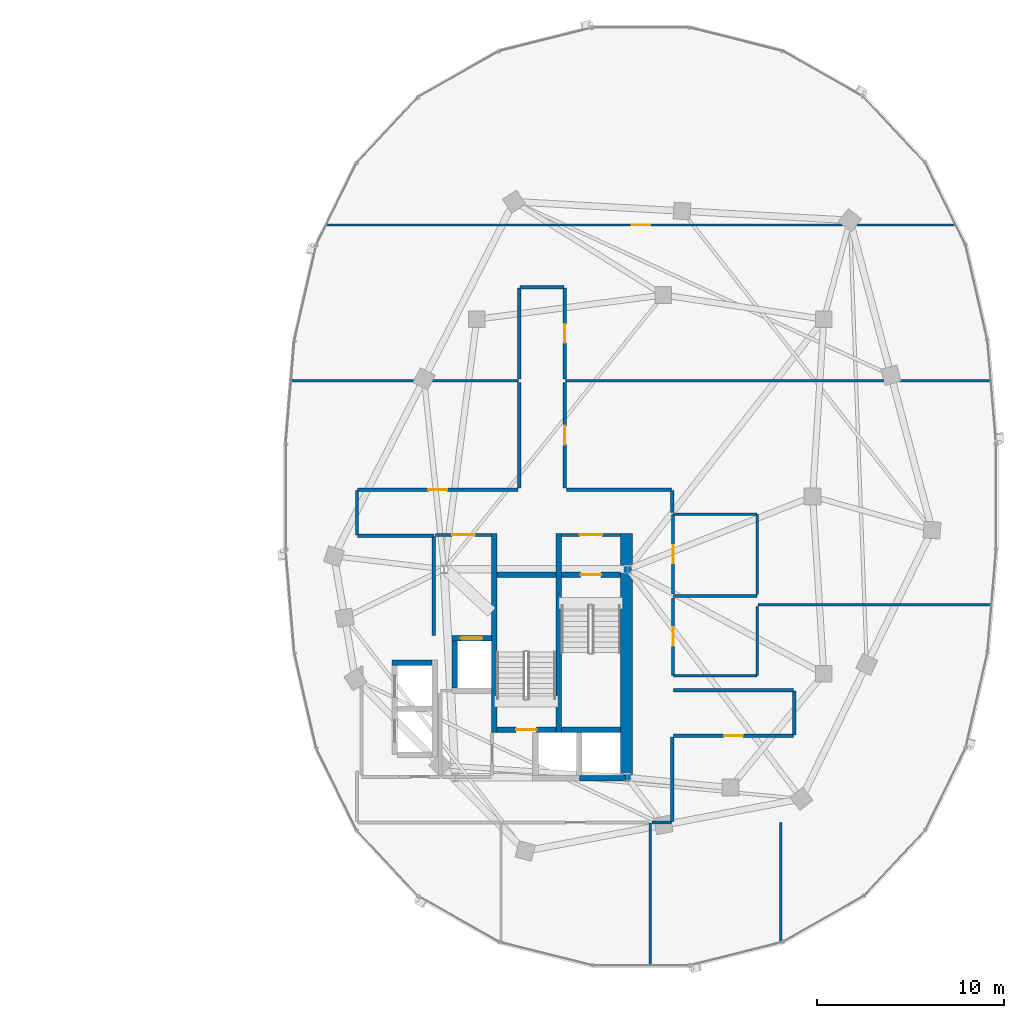
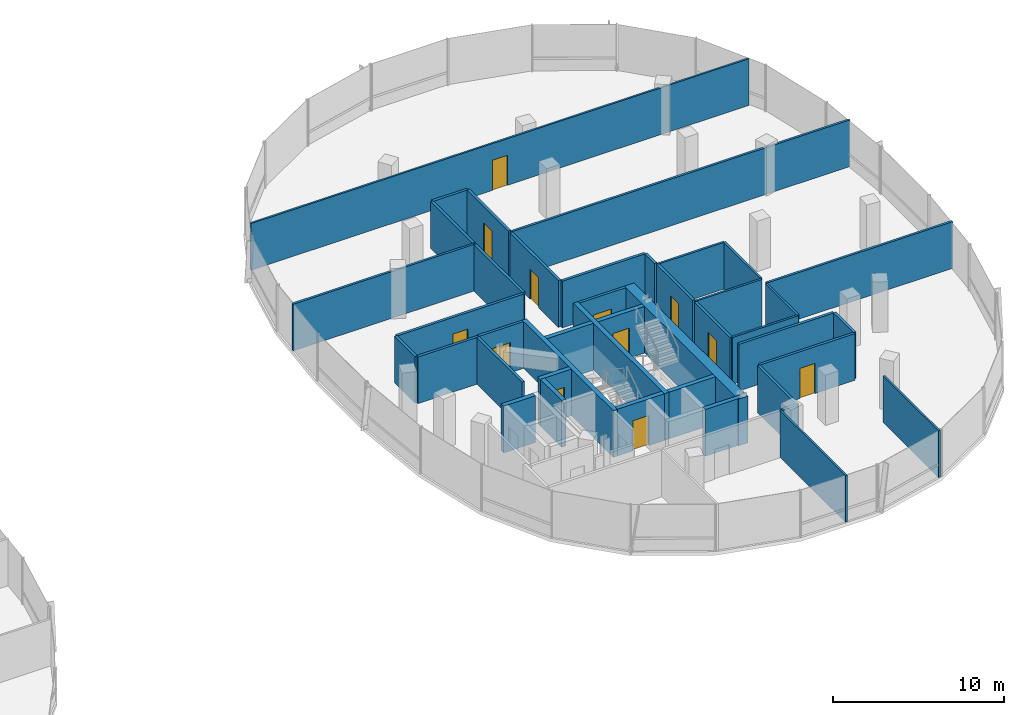
# One storey, part 17 of 25: 42 walls, 12 doors, 12 openings.
"""IFC4 building model written with IfcOpenShell, lengths in metres."""

from ifc_helpers import new_model, si_unit, direction, frame, frame_2d, origin, place, context, subcontext, project, spatial, rectangle, extrude, material, layer, layer_set, type_object, element, fill, save


model = new_model("IFC4")

# Units and contexts
model_context = context("Model", 3, precision=1e-05, world=origin(), true_north=direction((0.0, 1.0)))
body_context = subcontext(model_context, "Body", "Model", "MODEL_VIEW")
ifc_project = project(units=[si_unit("LENGTHUNIT", "METRE"), si_unit("AREAUNIT", "SQUARE_METRE"), si_unit("VOLUMEUNIT", "CUBIC_METRE"), si_unit("PLANEANGLEUNIT", "RADIAN"), si_unit("MASSUNIT", "GRAM", prefix="KILO"), si_unit("THERMODYNAMICTEMPERATUREUNIT", "KELVIN"), si_unit("POWERUNIT", "WATT")], contexts=[model_context])

# Site, building, storey
site_placement = place(None, origin())
site = spatial("IfcSite", under=ifc_project, at=site_placement, CompositionType="ELEMENT")
building_placement = place(site_placement, origin())
building = spatial("IfcBuilding", under=site, at=building_placement, Name="Cundina Bronze Exchange", CompositionType="ELEMENT")
storey_placement = place(building_placement, frame((0.0, 0.0, 220.60009765625)))
storey = spatial("IfcBuildingStorey", under=building, at=storey_placement, Name="L58", CompositionType="ELEMENT", Elevation=220.60009765625)

# Wall
ifc_material_1 = material(Name="Gypsum Fireboard Partition EI120")
ifc_layer_1 = layer(ifc_material_1, 0.179931640625, Name="Gypsum Fireboard Partition EI120")
ifc_layer_set_1 = layer_set([ifc_layer_1], Name="Gypsum Fireboard Partition EI120")
wall_type_1 = type_object("IfcWallType", Name="WL-COR-180", PredefinedType="PARTITIONING", material=ifc_layer_set_1)
wall_1_placement = place(storey_placement, frame((20.889892578125, -7.449951171875, 0.0), z_axis=(0.0, 0.0, 1.0), x_axis=(0.0, 1.0, 0.0)))
element("IfcWall", 1, at=wall_1_placement, inside=storey, type_object=wall_type_1, Name="L58 E Firefighting Lobby Side Wall", PredefinedType="PARTITIONING", context=body_context, shape_type="SweptSolid", body=[
    extrude(rectangle(XDim=5.300048828125, YDim=0.179931640625, at=frame_2d((2.64990234375, 0.0))), origin(), (0.0, 0.0, 1.0), 3.33984375),
])

# Wall, opening, door
wall_2_placement = place(storey_placement, frame((20.97998046875, -2.06005859375, 0.0), z_axis=(0.0, 0.0, 1.0), x_axis=(1.0, 0.0, 0.0)))
wall_2 = element("IfcWall", 2, at=wall_2_placement, inside=storey, type_object=wall_type_1, Name="L58 E Firefighting Lobby Exit Wall", PredefinedType="PARTITIONING", context=body_context, shape_type="SweptSolid", body=[
    extrude(rectangle(XDim=3.0, YDim=0.179931640625, at=frame_2d((1.5, 0.0))), origin(), (0.0, 0.0, 1.0), 3.33984375),
])
opening_1_placement = place(wall_2_placement, frame((0.89990234375, 0.0, 0.0)))
opening_1 = element("IfcOpeningElement", 3, at=opening_1_placement, cuts=wall_2, Name="Opening DF-01", PredefinedType="OPENING", context=body_context, shape_type="SweptSolid", body=[
    extrude(rectangle(XDim=1.199951171875, YDim=2.14990234375, at=frame_2d((0.60009765625, 1.074951171875))), frame((0.0, 0.099853515625, 0.0), z_axis=(0.0, -1.0, 0.0), x_axis=(1.0, 0.0, 0.0)), (0.0, 0.0, 1.0), 0.199951171875),
])
ifc_material_2 = material(Name="Steel ASTM A36 Painted", Category="steel")
door_type_1 = type_object("IfcDoorType", Name="DR-FFL-1200", OperationType="NOTDEFINED", PredefinedType="DOOR", material=ifc_material_2)
door_1_placement = place(opening_1_placement, origin())
door_1 = element("IfcDoor", 4, at=door_1_placement, inside=storey, type_object=door_type_1, Name="L58 E Firefighting Lobby Door", OperationType="SINGLE_SWING_LEFT", OverallHeight=2.14990234375, OverallWidth=1.199951171875, PredefinedType="DOOR", context=body_context, shape_type="SweptSolid", body=[
    extrude(rectangle(XDim=1.199951171875, YDim=2.14990234375, at=frame_2d((0.60009765625, 1.074951171875))), frame((0.0, 0.02490234375, 0.0), z_axis=(0.0, -1.0, 0.0), x_axis=(1.0, 0.0, 0.0)), (0.0, 0.0, 1.0), 0.050048828125),
])
fill(opening_1, door_1)

wall_3_placement = place(storey_placement, frame((27.739990234375, -2.06005859375, 0.0), z_axis=(0.0, 0.0, 1.0), x_axis=(1.0, 0.0, 0.0)))
wall_3 = element("IfcWall", 5, at=wall_3_placement, inside=storey, type_object=wall_type_1, Name="L58 E Stair Vestibule Exit Wall", PredefinedType="PARTITIONING", context=body_context, shape_type="SweptSolid", body=[
    extrude(rectangle(XDim=3.159912109375, YDim=0.179931640625, at=frame_2d((1.580078125, 0.0))), origin(), (0.0, 0.0, 1.0), 3.33984375),
])
opening_2_placement = place(wall_3_placement, frame((0.97998046875, 0.0, 0.0)))
opening_2 = element("IfcOpeningElement", 6, at=opening_2_placement, cuts=wall_3, Name="Opening DF-01", PredefinedType="OPENING", context=body_context, shape_type="SweptSolid", body=[
    extrude(rectangle(XDim=1.199951171875, YDim=2.14990234375, at=frame_2d((0.60009765625, 1.074951171875))), frame((0.0, 0.099853515625, 0.0), z_axis=(0.0, -1.0, 0.0), x_axis=(1.0, 0.0, 0.0)), (0.0, 0.0, 1.0), 0.199951171875),
])
door_2_placement = place(opening_2_placement, origin())
door_2 = element("IfcDoor", 7, at=door_2_placement, inside=storey, type_object=door_type_1, Name="L58 E Stair Vestibule Door", OperationType="SINGLE_SWING_RIGHT", OverallHeight=2.14990234375, OverallWidth=1.199951171875, PredefinedType="DOOR", context=body_context, shape_type="SweptSolid", body=[
    extrude(rectangle(XDim=1.199951171875, YDim=2.14990234375, at=frame_2d((0.60009765625, 1.074951171875))), frame((0.0, 0.02490234375, 0.0), z_axis=(0.0, -1.0, 0.0), x_axis=(1.0, 0.0, 0.0)), (0.0, 0.0, 1.0), 0.050048828125),
])
fill(opening_2, door_2)

wall_4_placement = place(storey_placement, frame((33.719970703125, -5.22998046875, 0.0), z_axis=(0.0, 0.0, 1.0), x_axis=(0.0, 1.0, 0.0)))
wall_4 = element("IfcWall", 8, at=wall_4_placement, inside=storey, type_object=wall_type_1, Name="L58 Interior Partition 053", PredefinedType="PARTITIONING", context=body_context, shape_type="SweptSolid", body=[
    extrude(rectangle(XDim=4.260009765625, YDim=0.179931640625, at=frame_2d((2.1298828125, 0.0))), origin(), (0.0, 0.0, 1.0), 3.33984375),
])
opening_3_placement = place(wall_4_placement, frame((1.655029296875, 0.0, 0.0)))
opening_3 = element("IfcOpeningElement", 9, at=opening_3_placement, cuts=wall_4, Name="Opening DW-01", PredefinedType="OPENING", context=body_context, shape_type="SweptSolid", body=[
    extrude(rectangle(XDim=0.949951171875, YDim=2.10009765625, at=frame_2d((0.47509765625, 1.050048828125))), frame((0.0, 0.099853515625, 0.0), z_axis=(0.0, -1.0, 0.0), x_axis=(1.0, 0.0, 0.0)), (0.0, 0.0, 1.0), 0.199951171875),
])
ifc_material_3 = material(Name="Solid Andean Oak Timber Grade A", Category="wood")
door_type_2 = type_object("IfcDoorType", Name="DR-WC-950", OperationType="NOTDEFINED", PredefinedType="DOOR", material=ifc_material_3)
door_3_placement = place(opening_3_placement, origin())
door_3 = element("IfcDoor", 10, at=door_3_placement, inside=storey, type_object=door_type_2, Name="L58 Interior Door 053", OperationType="SINGLE_SWING_RIGHT", OverallHeight=2.10009765625, OverallWidth=0.949951171875, PredefinedType="DOOR", context=body_context, shape_type="SweptSolid", body=[
    extrude(rectangle(XDim=0.949951171875, YDim=2.10009765625, at=frame_2d((0.47509765625, 1.050048828125))), frame((0.0, 0.02490234375, 0.0), z_axis=(0.0, -1.0, 0.0), x_axis=(1.0, 0.0, 0.0)), (0.0, 0.0, 1.0), 0.050048828125),
])
fill(opening_3, door_3)

wall_5_placement = place(storey_placement, frame((33.719970703125, -9.590087890625, 0.0), z_axis=(0.0, 0.0, 1.0), x_axis=(0.0, 1.0, 0.0)))
wall_5 = element("IfcWall", 11, at=wall_5_placement, inside=storey, type_object=wall_type_1, Name="L58 Interior Partition 054", PredefinedType="PARTITIONING", context=body_context, shape_type="SweptSolid", body=[
    extrude(rectangle(XDim=4.16015625, YDim=0.179931640625, at=frame_2d((2.080078125, 0.0))), origin(), (0.0, 0.0, 1.0), 3.33984375),
])
opening_4_placement = place(wall_5_placement, frame((1.580078125, 0.0, 0.0)))
opening_4 = element("IfcOpeningElement", 12, at=opening_4_placement, cuts=wall_5, Name="Opening DO-01", PredefinedType="OPENING", context=body_context, shape_type="SweptSolid", body=[
    extrude(rectangle(XDim=1.0, YDim=2.14990234375, at=frame_2d((0.5, 1.074951171875))), frame((0.0, 0.099853515625, 0.0), z_axis=(0.0, -1.0, 0.0), x_axis=(1.0, 0.0, 0.0)), (0.0, 0.0, 1.0), 0.199951171875),
])
door_type_3 = type_object("IfcDoorType", Name="DR-OFF-1000", OperationType="NOTDEFINED", PredefinedType="DOOR", material=ifc_material_3)
door_4_placement = place(opening_4_placement, origin())
door_4 = element("IfcDoor", 13, at=door_4_placement, inside=storey, type_object=door_type_3, Name="L58 Interior Door 054", OperationType="SINGLE_SWING_RIGHT", OverallHeight=2.14990234375, OverallWidth=1.0, PredefinedType="DOOR", context=body_context, shape_type="SweptSolid", body=[
    extrude(rectangle(XDim=1.0, YDim=2.14990234375, at=frame_2d((0.5, 1.074951171875))), frame((0.0, 0.02490234375, 0.0), z_axis=(0.0, -1.0, 0.0), x_axis=(1.0, 0.0, 0.0)), (0.0, 0.0, 1.0), 0.050048828125),
])
fill(opening_4, door_4)

wall_6_placement = place(storey_placement, frame((33.75, -12.820068359375, 0.0), z_axis=(0.0, 0.0, 1.0), x_axis=(1.0, 0.0, 0.0)))
wall_6 = element("IfcWall", 14, at=wall_6_placement, inside=storey, type_object=wall_type_1, Name="L58 Interior Partition 062", PredefinedType="PARTITIONING", context=body_context, shape_type="SweptSolid", body=[
    extrude(rectangle(XDim=6.428466796875, YDim=0.179931640625, at=frame_2d((3.21435546875, 0.0))), origin(), (0.0, 0.0, 1.0), 3.33984375),
])
opening_5_placement = place(wall_6_placement, frame((2.714111328125, 0.0, 0.0)))
opening_5 = element("IfcOpeningElement", 15, at=opening_5_placement, cuts=wall_6, Name="Opening DO-01", PredefinedType="OPENING", context=body_context, shape_type="SweptSolid", body=[
    extrude(rectangle(XDim=1.0, YDim=2.14990234375, at=frame_2d((0.5, 1.074951171875))), frame((0.0, 0.099853515625, 0.0), z_axis=(0.0, -1.0, 0.0), x_axis=(1.0, 0.0, 0.0)), (0.0, 0.0, 1.0), 0.199951171875),
])
door_5_placement = place(opening_5_placement, origin())
door_5 = element("IfcDoor", 16, at=door_5_placement, inside=storey, type_object=door_type_3, Name="L58 Interior Door 062", OperationType="SINGLE_SWING_RIGHT", OverallHeight=2.14990234375, OverallWidth=1.0, PredefinedType="DOOR", context=body_context, shape_type="SweptSolid", body=[
    extrude(rectangle(XDim=1.0, YDim=2.14990234375, at=frame_2d((0.5, 1.074951171875))), frame((0.0, 0.02490234375, 0.0), z_axis=(0.0, -1.0, 0.0), x_axis=(1.0, 0.0, 0.0)), (0.0, 0.0, 1.0), 0.050048828125),
])
fill(opening_5, door_5)

# Walls
wall_7_placement = place(storey_placement, frame((40.178466796875, -10.3798828125, 0.0), z_axis=(0.0, 0.0, 1.0), x_axis=(-1.0, 0.0, 0.0)))
element("IfcWall", 17, at=wall_7_placement, inside=storey, type_object=wall_type_1, Name="L58 Interior Partition 063", PredefinedType="PARTITIONING", context=body_context, shape_type="SweptSolid", body=[
    extrude(rectangle(XDim=6.428466796875, YDim=0.179931640625, at=frame_2d((3.21435546875, 0.0))), origin(), (0.0, 0.0, 1.0), 3.33984375),
])
wall_8_placement = place(storey_placement, frame((33.669921875, -17.428466796875, 0.0), z_axis=(0.0, 0.0, 1.0), x_axis=(0.0, 1.0, 0.0)))
element("IfcWall", 18, at=wall_8_placement, inside=storey, type_object=wall_type_1, Name="L58 Interior Partition 064", PredefinedType="PARTITIONING", context=body_context, shape_type="SweptSolid", body=[
    extrude(rectangle(XDim=4.528564453125, YDim=0.179931640625, at=frame_2d((2.26416015625, 0.0))), origin(), (0.0, 0.0, 1.0), 3.33984375),
])
wall_9_placement = place(storey_placement, frame((40.219970703125, -12.778564453125, 0.0), z_axis=(0.0, 0.0, 1.0), x_axis=(0.0, 1.0, 0.0)))
element("IfcWall", 19, at=wall_9_placement, inside=storey, type_object=wall_type_1, Name="L58 Interior Partition 065", PredefinedType="PARTITIONING", context=body_context, shape_type="SweptSolid", body=[
    extrude(rectangle(XDim=2.357177734375, YDim=0.179931640625, at=frame_2d((1.1787109375, 0.0))), origin(), (0.0, 0.0, 1.0), 3.33984375),
])
wall_10_placement = place(storey_placement, frame((32.590087890625, -17.469970703125, 0.0), z_axis=(0.0, 0.0, 1.0), x_axis=(1.0, 0.0, 0.0)))
element("IfcWall", 20, at=wall_10_placement, inside=storey, type_object=wall_type_1, Name="L58 Interior Partition 066", PredefinedType="PARTITIONING", context=body_context, shape_type="SweptSolid", body=[
    extrude(rectangle(XDim=1.038330078125, YDim=0.179931640625, at=frame_2d((0.51904296875, 0.0))), origin(), (0.0, 0.0, 1.0), 3.33984375),
])

# Wall, opening, door
wall_11_placement = place(storey_placement, frame((25.39990234375, 0.3701171875, 0.0), z_axis=(0.0, 0.0, 1.0), x_axis=(-1.0, 0.0, 0.0)))
wall_11 = element("IfcWall", 21, at=wall_11_placement, inside=storey, type_object=wall_type_1, Name="L58 Interior Partition 067", PredefinedType="PARTITIONING", context=body_context, shape_type="SweptSolid", body=[
    extrude(rectangle(XDim=8.578369140625, YDim=0.179931640625, at=frame_2d((4.2890625, 0.0))), origin(), (0.0, 0.0, 1.0), 3.33984375),
])
opening_6_placement = place(wall_11_placement, frame((3.789306640625, 0.0, 0.0)))
opening_6 = element("IfcOpeningElement", 22, at=opening_6_placement, cuts=wall_11, Name="Opening DO-01", PredefinedType="OPENING", context=body_context, shape_type="SweptSolid", body=[
    extrude(rectangle(XDim=1.0, YDim=2.14990234375, at=frame_2d((0.5, 1.074951171875))), frame((0.0, 0.099853515625, 0.0), z_axis=(0.0, -1.0, 0.0), x_axis=(1.0, 0.0, 0.0)), (0.0, 0.0, 1.0), 0.199951171875),
])
door_6_placement = place(opening_6_placement, origin())
door_6 = element("IfcDoor", 23, at=door_6_placement, inside=storey, type_object=door_type_3, Name="L58 Interior Door 067", OperationType="SINGLE_SWING_RIGHT", OverallHeight=2.14990234375, OverallWidth=1.0, PredefinedType="DOOR", context=body_context, shape_type="SweptSolid", body=[
    extrude(rectangle(XDim=1.0, YDim=2.14990234375, at=frame_2d((0.5, 1.074951171875))), frame((0.0, 0.02490234375, 0.0), z_axis=(0.0, -1.0, 0.0), x_axis=(1.0, 0.0, 0.0)), (0.0, 0.0, 1.0), 0.050048828125),
])
fill(opening_6, door_6)

# Walls
wall_12_placement = place(storey_placement, frame((25.47998046875, 6.110107421875, 0.0), z_axis=(0.0, 0.0, 1.0), x_axis=(0.0, -1.0, 0.0)))
element("IfcWall", 24, at=wall_12_placement, inside=storey, type_object=wall_type_1, Name="L58 Interior Partition 069", PredefinedType="PARTITIONING", context=body_context, shape_type="SweptSolid", body=[
    extrude(rectangle(XDim=5.66015625, YDim=0.179931640625, at=frame_2d((2.830078125, 0.0))), origin(), (0.0, 0.0, 1.0), 3.33984375),
])
wall_13_placement = place(storey_placement, frame((16.821533203125, -2.10009765625, 0.0), z_axis=(0.0, 0.0, 1.0), x_axis=(1.0, 0.0, 0.0)))
element("IfcWall", 25, at=wall_13_placement, inside=storey, type_object=wall_type_1, Name="L58 Interior Partition 070", PredefinedType="PARTITIONING", context=body_context, shape_type="SweptSolid", body=[
    extrude(rectangle(XDim=4.098388671875, YDim=0.179931640625, at=frame_2d((2.04931640625, 0.0))), origin(), (0.0, 0.0, 1.0), 3.33984375),
])
wall_14_placement = place(storey_placement, frame((16.780029296875, 0.32861328125, 0.0), z_axis=(0.0, 0.0, 1.0), x_axis=(0.0, -1.0, 0.0)))
element("IfcWall", 26, at=wall_14_placement, inside=storey, type_object=wall_type_1, Name="L58 Interior Partition 072", PredefinedType="PARTITIONING", context=body_context, shape_type="SweptSolid", body=[
    extrude(rectangle(XDim=2.38720703125, YDim=0.179931640625, at=frame_2d((1.193603515625, 0.0))), origin(), (0.0, 0.0, 1.0), 3.33984375),
])

# Wall, opening, door
wall_15_placement = place(storey_placement, frame((27.919921875, 0.449951171875, 0.0), z_axis=(0.0, 0.0, 1.0), x_axis=(0.0, 1.0, 0.0)))
wall_15 = element("IfcWall", 27, at=wall_15_placement, inside=storey, type_object=wall_type_1, Name="L58 Interior Partition 073", PredefinedType="PARTITIONING", context=body_context, shape_type="SweptSolid", body=[
    extrude(rectangle(XDim=5.66015625, YDim=0.179931640625, at=frame_2d((2.830078125, 0.0))), origin(), (0.0, 0.0, 1.0), 3.33984375),
])
opening_7_placement = place(wall_15_placement, frame((2.330078125, 0.0, 0.0)))
opening_7 = element("IfcOpeningElement", 28, at=opening_7_placement, cuts=wall_15, Name="Opening DO-01", PredefinedType="OPENING", context=body_context, shape_type="SweptSolid", body=[
    extrude(rectangle(XDim=1.0, YDim=2.14990234375, at=frame_2d((0.5, 1.074951171875))), frame((0.0, 0.099853515625, 0.0), z_axis=(0.0, -1.0, 0.0), x_axis=(1.0, 0.0, 0.0)), (0.0, 0.0, 1.0), 0.199951171875),
])
door_7_placement = place(opening_7_placement, origin())
door_7 = element("IfcDoor", 29, at=door_7_placement, inside=storey, type_object=door_type_3, Name="L58 Interior Door 073", OperationType="SINGLE_SWING_RIGHT", OverallHeight=2.14990234375, OverallWidth=1.0, PredefinedType="DOOR", context=body_context, shape_type="SweptSolid", body=[
    extrude(rectangle(XDim=1.0, YDim=2.14990234375, at=frame_2d((0.5, 1.074951171875))), frame((0.0, 0.02490234375, 0.0), z_axis=(0.0, -1.0, 0.0), x_axis=(1.0, 0.0, 0.0)), (0.0, 0.0, 1.0), 0.050048828125),
])
fill(opening_7, door_7)

# Walls
wall_16_placement = place(storey_placement, frame((33.62841796875, 0.3701171875, 0.0), z_axis=(0.0, 0.0, 1.0), x_axis=(-1.0, 0.0, 0.0)))
element("IfcWall", 30, at=wall_16_placement, inside=storey, type_object=wall_type_1, Name="L58 Interior Partition 074", PredefinedType="PARTITIONING", context=body_context, shape_type="SweptSolid", body=[
    extrude(rectangle(XDim=5.62841796875, YDim=0.179931640625, at=frame_2d((2.814208984375, 0.0))), origin(), (0.0, 0.0, 1.0), 3.33984375),
])
wall_17_placement = place(storey_placement, frame((33.669921875, -0.858642578125, 0.0), z_axis=(0.0, 0.0, 1.0), x_axis=(0.0, 1.0, 0.0)))
element("IfcWall", 31, at=wall_17_placement, inside=storey, type_object=wall_type_1, Name="L58 Interior Partition 075", PredefinedType="PARTITIONING", context=body_context, shape_type="SweptSolid", body=[
    extrude(rectangle(XDim=1.187255859375, YDim=0.179931640625, at=frame_2d((0.59375, 0.0))), origin(), (0.0, 0.0, 1.0), 3.33984375),
])

# Wall, opening, door
wall_18_placement = place(storey_placement, frame((27.919921875, 6.2900390625, 0.0), z_axis=(0.0, 0.0, 1.0), x_axis=(0.0, 1.0, 0.0)))
wall_18 = element("IfcWall", 32, at=wall_18_placement, inside=storey, type_object=wall_type_1, Name="L58 Interior Partition 076", PredefinedType="PARTITIONING", context=body_context, shape_type="SweptSolid", body=[
    extrude(rectangle(XDim=4.888427734375, YDim=0.179931640625, at=frame_2d((2.4443359375, 0.0))), origin(), (0.0, 0.0, 1.0), 3.33984375),
])
opening_8_placement = place(wall_18_placement, frame((1.944091796875, 0.0, 0.0)))
opening_8 = element("IfcOpeningElement", 33, at=opening_8_placement, cuts=wall_18, Name="Opening DO-01", PredefinedType="OPENING", context=body_context, shape_type="SweptSolid", body=[
    extrude(rectangle(XDim=1.0, YDim=2.14990234375, at=frame_2d((0.5, 1.074951171875))), frame((0.0, 0.099853515625, 0.0), z_axis=(0.0, -1.0, 0.0), x_axis=(1.0, 0.0, 0.0)), (0.0, 0.0, 1.0), 0.199951171875),
])
door_8_placement = place(opening_8_placement, origin())
door_8 = element("IfcDoor", 34, at=door_8_placement, inside=storey, type_object=door_type_3, Name="L58 Interior Door 076", OperationType="SINGLE_SWING_RIGHT", OverallHeight=2.14990234375, OverallWidth=1.0, PredefinedType="DOOR", context=body_context, shape_type="SweptSolid", body=[
    extrude(rectangle(XDim=1.0, YDim=2.14990234375, at=frame_2d((0.5, 1.074951171875))), frame((0.0, 0.02490234375, 0.0), z_axis=(0.0, -1.0, 0.0), x_axis=(1.0, 0.0, 0.0)), (0.0, 0.0, 1.0), 0.050048828125),
])
fill(opening_8, door_8)

# Walls
wall_19_placement = place(storey_placement, frame((25.47998046875, 11.178466796875, 0.0), z_axis=(0.0, 0.0, 1.0), x_axis=(0.0, -1.0, 0.0)))
element("IfcWall", 35, at=wall_19_placement, inside=storey, type_object=wall_type_1, Name="L58 Interior Partition 077", PredefinedType="PARTITIONING", context=body_context, shape_type="SweptSolid", body=[
    extrude(rectangle(XDim=4.888427734375, YDim=0.179931640625, at=frame_2d((2.4443359375, 0.0))), origin(), (0.0, 0.0, 1.0), 3.33984375),
])
wall_20_placement = place(storey_placement, frame((27.87841796875, 11.219970703125, 0.0), z_axis=(0.0, 0.0, 1.0), x_axis=(-1.0, 0.0, 0.0)))
element("IfcWall", 36, at=wall_20_placement, inside=storey, type_object=wall_type_1, Name="L58 Interior Partition 078", PredefinedType="PARTITIONING", context=body_context, shape_type="SweptSolid", body=[
    extrude(rectangle(XDim=2.35693359375, YDim=0.179931640625, at=frame_2d((1.178466796875, 0.0))), origin(), (0.0, 0.0, 1.0), 3.33984375),
])
ifc_material_4 = material(Name="Concrete C50/60", Category="concrete")
ifc_layer_2 = layer(ifc_material_4, 0.64990234375, Name="Concrete C50/60", Category="concrete")
ifc_layer_set_2 = layer_set([ifc_layer_2], Name="Concrete C50/60")
wall_type_2 = type_object("IfcWallType", Name="WL-CORE-650", PredefinedType="SHEAR", material=ifc_layer_set_2)
wall_21_placement = place(storey_placement, frame((31.22509765625, -15.300048828125, 0.0), z_axis=(0.0, 0.0, 1.0), x_axis=(0.0, 1.0, 0.0)))
element("IfcWall", 37, at=wall_21_placement, inside=storey, type_object=wall_type_2, Name="L58 E Primary Core Shear Spine Wall", PredefinedType="SHEAR", context=body_context, shape_type="SweptSolid", body=[
    extrude(rectangle(XDim=13.330078125, YDim=0.64990234375, at=frame_2d((6.6650390625, 0.0))), origin(), (0.0, 0.0, 1.0), 3.33984375),
])
ifc_material_5 = material(Name="Gypsum Acoustic Partition EI60")
ifc_layer_3 = layer(ifc_material_5, 0.125, Name="Gypsum Acoustic Partition EI60")
ifc_layer_set_3 = layer_set([ifc_layer_3], Name="Gypsum Acoustic Partition EI60")
wall_type_3 = type_object("IfcWallType", Name="WL-OFF-125", PredefinedType="PARTITIONING", material=ifc_layer_set_3)
wall_22_placement = place(storey_placement, frame((32.5, -25.18994140625, 0.0), z_axis=(0.0, 0.0, 1.0), x_axis=(0.0, 1.0, 0.0)))
element("IfcWall", 38, at=wall_22_placement, inside=storey, type_object=wall_type_3, Name="L58 Interior Partition 059", PredefinedType="PARTITIONING", context=body_context, shape_type="SweptSolid", body=[
    extrude(rectangle(XDim=7.68994140625, YDim=0.125, at=frame_2d((3.844970703125, 0.0))), origin(), (0.0, 0.0, 1.0), 3.33984375),
])
wall_23_placement = place(storey_placement, frame((39.5, -23.962646484375, 0.0), z_axis=(0.0, 0.0, 1.0), x_axis=(0.0, 1.0, 0.0)))
element("IfcWall", 39, at=wall_23_placement, inside=storey, type_object=wall_type_3, Name="L58 Interior Partition 060", PredefinedType="PARTITIONING", context=body_context, shape_type="SweptSolid", body=[
    extrude(rectangle(XDim=6.49267578125, YDim=0.125, at=frame_2d((3.246337890625, 0.0))), origin(), (0.0, 0.0, 1.0), 3.33984375),
])

# Wall, opening, door
wall_24_placement = place(storey_placement, frame((48.832763671875, 14.550048828125, 0.0), z_axis=(0.0, 0.0, 1.0), x_axis=(-1.0, 0.0, 0.0)))
wall_24 = element("IfcWall", 40, at=wall_24_placement, inside=storey, type_object=wall_type_3, Name="L58 Interior Partition 079", PredefinedType="PARTITIONING", context=body_context, shape_type="SweptSolid", body=[
    extrude(rectangle(XDim=33.66552734375, YDim=0.125, at=frame_2d((16.832763671875, 0.0))), origin(), (0.0, 0.0, 1.0), 3.33984375),
])
opening_9_placement = place(wall_24_placement, frame((16.332763671875, 0.0, 0.0)))
opening_9 = element("IfcOpeningElement", 41, at=opening_9_placement, cuts=wall_24, Name="Opening DO-01", PredefinedType="OPENING", context=body_context, shape_type="SweptSolid", body=[
    extrude(rectangle(XDim=1.0, YDim=2.14990234375, at=frame_2d((0.5, 1.074951171875))), frame((0.0, 0.072509765625, 0.0), z_axis=(0.0, -1.0, 0.0), x_axis=(1.0, 0.0, 0.0)), (0.0, 0.0, 1.0), 0.14501953125),
])
door_9_placement = place(opening_9_placement, origin())
door_9 = element("IfcDoor", 42, at=door_9_placement, inside=storey, type_object=door_type_3, Name="L58 Interior Door 079", OperationType="SINGLE_SWING_RIGHT", OverallHeight=2.14990234375, OverallWidth=1.0, PredefinedType="DOOR", context=body_context, shape_type="SweptSolid", body=[
    extrude(rectangle(XDim=1.0, YDim=2.14990234375, at=frame_2d((0.5, 1.074951171875))), frame((0.0, 0.02490234375, 0.0), z_axis=(0.0, -1.0, 0.0), x_axis=(1.0, 0.0, 0.0)), (0.0, 0.0, 1.0), 0.050048828125),
])
fill(opening_9, door_9)

# Walls
ifc_layer_4 = layer(ifc_material_4, 0.300048828125, Name="Concrete C50/60", Category="concrete")
ifc_layer_set_4 = layer_set([ifc_layer_4], Name="Concrete C50/60")
wall_type_4 = type_object("IfcWallType", Name="WL-SHFT-300", PredefinedType="SHEAR", material=ifc_layer_set_4)
for number, where, z_axis, x_axis, name in (
    (43, (27.590087890625, -12.64990234375, 0.0), (0.0, 0.0, 1.0), (0.0, 1.0, 0.0), "L58 E Stair Shaft Dividing Shear Wall"),
    (44, (24.1298828125, -12.64990234375, 0.0), (0.0, 0.0, 1.0), (0.0, 1.0, 0.0), "L58 E Stair 2 East Shear Wall"),
):
    element("IfcWall", number, at=place(storey_placement, frame(where, z_axis=z_axis, x_axis=x_axis)), inside=storey, type_object=wall_type_4, Name=name, PredefinedType="SHEAR", context=body_context, shape_type="SweptSolid", body=[
        extrude(rectangle(XDim=10.679931640625, YDim=0.300048828125, at=frame_2d((5.33984375, 0.0))), origin(), (0.0, 0.0, 1.0), 3.33984375),
    ])

# Wall, opening, door
wall_25_placement = place(storey_placement, frame((27.739990234375, -4.199951171875, 0.0), z_axis=(0.0, 0.0, 1.0), x_axis=(1.0, 0.0, 0.0)))
wall_25 = element("IfcWall", 45, at=wall_25_placement, inside=storey, type_object=wall_type_4, Name="L58 Stair E1 Landing Wall", PredefinedType="SHEAR", context=body_context, shape_type="SweptSolid", body=[
    extrude(rectangle(XDim=3.159912109375, YDim=0.300048828125, at=frame_2d((1.580078125, 0.0))), origin(), (0.0, 0.0, 1.0), 3.33984375),
])
opening_10_placement = place(wall_25_placement, frame((1.030029296875, 0.0, 0.0)))
opening_10 = element("IfcOpeningElement", 46, at=opening_10_placement, cuts=wall_25, Name="Opening DS-01", PredefinedType="OPENING", context=body_context, shape_type="SweptSolid", body=[
    extrude(rectangle(XDim=1.10009765625, YDim=2.14990234375, at=frame_2d((0.550048828125, 1.074951171875))), frame((0.0, 0.159912109375, 0.0), z_axis=(0.0, -1.0, 0.0), x_axis=(1.0, 0.0, 0.0)), (0.0, 0.0, 1.0), 0.320068359375),
])
door_type_4 = type_object("IfcDoorType", Name="DR-STR-1100", OperationType="NOTDEFINED", PredefinedType="DOOR", material=ifc_material_2)
door_10_placement = place(opening_10_placement, origin())
door_10 = element("IfcDoor", 47, at=door_10_placement, inside=storey, type_object=door_type_4, Name="L58 Smokeproof Stair E1 Door", OperationType="SINGLE_SWING_LEFT", OverallHeight=2.14990234375, OverallWidth=1.10009765625, PredefinedType="DOOR", context=body_context, shape_type="SweptSolid", body=[
    extrude(rectangle(XDim=1.10009765625, YDim=2.14990234375, at=frame_2d((0.550048828125, 1.074951171875))), frame((0.0, 0.02490234375, 0.0), z_axis=(0.0, -1.0, 0.0), x_axis=(1.0, 0.0, 0.0)), (0.0, 0.0, 1.0), 0.050048828125),
])
fill(opening_10, door_10)

# Wall
wall_26_placement = place(storey_placement, frame((27.739990234375, -12.5, 0.0), z_axis=(0.0, 0.0, 1.0), x_axis=(1.0, 0.0, 0.0)))
element("IfcWall", 48, at=wall_26_placement, inside=storey, type_object=wall_type_4, Name="L58 Stair E1 Far Shaft Wall", PredefinedType="SHEAR", context=body_context, shape_type="SweptSolid", body=[
    extrude(rectangle(XDim=3.159912109375, YDim=0.300048828125, at=frame_2d((1.580078125, 0.0))), origin(), (0.0, 0.0, 1.0), 3.33984375),
])

# Wall, opening, door
wall_27_placement = place(storey_placement, frame((24.280029296875, -12.5, 0.0), z_axis=(0.0, 0.0, 1.0), x_axis=(1.0, 0.0, 0.0)))
wall_27 = element("IfcWall", 49, at=wall_27_placement, inside=storey, type_object=wall_type_4, Name="L58 Stair E2 Landing Wall", PredefinedType="SHEAR", context=body_context, shape_type="SweptSolid", body=[
    extrude(rectangle(XDim=3.159912109375, YDim=0.300048828125, at=frame_2d((1.580078125, 0.0))), origin(), (0.0, 0.0, 1.0), 3.33984375),
])
opening_11_placement = place(wall_27_placement, frame((1.030029296875, 0.0, 0.0)))
opening_11 = element("IfcOpeningElement", 50, at=opening_11_placement, cuts=wall_27, Name="Opening DS-01", PredefinedType="OPENING", context=body_context, shape_type="SweptSolid", body=[
    extrude(rectangle(XDim=1.10009765625, YDim=2.14990234375, at=frame_2d((0.550048828125, 1.074951171875))), frame((0.0, 0.159912109375, 0.0), z_axis=(0.0, -1.0, 0.0), x_axis=(1.0, 0.0, 0.0)), (0.0, 0.0, 1.0), 0.320068359375),
])
door_11_placement = place(opening_11_placement, origin())
door_11 = element("IfcDoor", 51, at=door_11_placement, inside=storey, type_object=door_type_4, Name="L58 Smokeproof Stair E2 Door", OperationType="SINGLE_SWING_RIGHT", OverallHeight=2.14990234375, OverallWidth=1.10009765625, PredefinedType="DOOR", context=body_context, shape_type="SweptSolid", body=[
    extrude(rectangle(XDim=1.10009765625, YDim=2.14990234375, at=frame_2d((0.550048828125, 1.074951171875))), frame((0.0, 0.02490234375, 0.0), z_axis=(0.0, -1.0, 0.0), x_axis=(1.0, 0.0, 0.0)), (0.0, 0.0, 1.0), 0.050048828125),
])
fill(opening_11, door_11)

# Wall
wall_28_placement = place(storey_placement, frame((24.280029296875, -4.199951171875, 0.0), z_axis=(0.0, 0.0, 1.0), x_axis=(1.0, 0.0, 0.0)))
element("IfcWall", 52, at=wall_28_placement, inside=storey, type_object=wall_type_4, Name="L58 Stair E2 Far Shaft Wall", PredefinedType="SHEAR", context=body_context, shape_type="SweptSolid", body=[
    extrude(rectangle(XDim=3.159912109375, YDim=0.300048828125, at=frame_2d((1.580078125, 0.0))), origin(), (0.0, 0.0, 1.0), 3.33984375),
])

# Wall, opening, door
wall_29_placement = place(storey_placement, frame((21.8798828125, -7.60009765625, 0.0), z_axis=(0.0, 0.0, 1.0), x_axis=(1.0, 0.0, 0.0)))
wall_29 = element("IfcWall", 53, at=wall_29_placement, inside=storey, type_object=wall_type_4, Name="L58 FFL-E Hoistway Front Wall", PredefinedType="SHEAR", context=body_context, shape_type="SweptSolid", body=[
    extrude(rectangle(XDim=2.10009765625, YDim=0.300048828125, at=frame_2d((1.050048828125, 0.0))), origin(), (0.0, 0.0, 1.0), 3.33984375),
])
opening_12_placement = place(wall_29_placement, frame((0.47509765625, 0.0, 0.0)))
opening_12 = element("IfcOpeningElement", 54, at=opening_12_placement, cuts=wall_29, Name="Opening LD-01", PredefinedType="OPENING", context=body_context, shape_type="SweptSolid", body=[
    extrude(rectangle(XDim=1.14990234375, YDim=2.199951171875, at=frame_2d((0.574951171875, 1.10009765625))), frame((0.0, 0.159912109375, 0.0), z_axis=(0.0, -1.0, 0.0), x_axis=(1.0, 0.0, 0.0)), (0.0, 0.0, 1.0), 0.320068359375),
])
door_type_5 = type_object("IfcDoorType", Name="DR-LND-1150", OperationType="NOTDEFINED", PredefinedType="TRAPDOOR", material=ifc_material_2)
door_12_placement = place(opening_12_placement, origin())
door_12 = element("IfcDoor", 55, at=door_12_placement, inside=storey, type_object=door_type_5, Name="L58 FFL-E Sliding Landing Door", OperationType="SLIDING_TO_LEFT", OverallHeight=2.199951171875, OverallWidth=1.14990234375, PredefinedType="TRAPDOOR", context=body_context, shape_type="SweptSolid", body=[
    extrude(rectangle(XDim=1.14990234375, YDim=2.199951171875, at=frame_2d((0.574951171875, 1.10009765625))), frame((0.0, 0.02490234375, 0.0), z_axis=(0.0, -1.0, 0.0), x_axis=(1.0, 0.0, 0.0)), (0.0, 0.0, 1.0), 0.050048828125),
])
fill(opening_12, door_12)

# Walls
for number, where, z_axis, x_axis, name in (
    (56, (22.030029296875, -10.25, 0.0), (0.0, 0.0, 1.0), (0.0, 1.0, 0.0), "L58 FFL-E Hoistway Side Wall"),
    (57, (28.699951171875, -15.10009765625, 0.0), (0.0, 0.0, 1.0), (1.0, 0.0, 0.0), "L58 PH-E1 Hoistway Front Wall"),
):
    element("IfcWall", number, at=place(storey_placement, frame(where, z_axis=z_axis, x_axis=x_axis)), inside=storey, type_object=wall_type_4, Name=name, PredefinedType="SHEAR", context=body_context, shape_type="SweptSolid", body=[
        extrude(rectangle(XDim=2.5, YDim=0.300048828125, at=frame_2d((1.25, 0.0))), origin(), (0.0, 0.0, 1.0), 3.33984375),
    ])
wall_30_placement = place(storey_placement, frame((18.64990234375, -8.89990234375, 0.0), z_axis=(0.0, 0.0, 1.0), x_axis=(1.0, 0.0, 0.0)))
element("IfcWall", 58, at=wall_30_placement, inside=storey, type_object=wall_type_4, Name="L58 E Passenger Bank North Cap Wall", PredefinedType="SHEAR", context=body_context, shape_type="SweptSolid", body=[
    extrude(rectangle(XDim=2.150146484375, YDim=0.300048828125, at=frame_2d((1.0751953125, 0.0))), origin(), (0.0, 0.0, 1.0), 3.33984375),
])
ifc_layer_5 = layer(ifc_material_5, 0.14990234375, Name="Gypsum Acoustic Partition EI60")
ifc_layer_set_5 = layer_set([ifc_layer_5], Name="Gypsum Acoustic Partition EI60")
wall_type_5 = type_object("IfcWallType", Name="WL-TEN-150", PredefinedType="PARTITIONING", material=ifc_layer_set_5)
wall_31_placement = place(storey_placement, frame((13.18310546875, 6.199951171875, 0.0), z_axis=(0.0, 0.0, 1.0), x_axis=(1.0, 0.0, 0.0)))
element("IfcWall", 59, at=wall_31_placement, inside=storey, type_object=wall_type_5, Name="L58 Interior Partition 055", PredefinedType="PARTITIONING", context=body_context, shape_type="SweptSolid", body=[
    extrude(rectangle(XDim=12.266845703125, YDim=0.14990234375, at=frame_2d((6.13330078125, 0.0))), origin(), (0.0, 0.0, 1.0), 3.33984375),
])
wall_32_placement = place(storey_placement, frame((27.949951171875, 6.199951171875, 0.0), z_axis=(0.0, 0.0, 1.0), x_axis=(1.0, 0.0, 0.0)))
element("IfcWall", 60, at=wall_32_placement, inside=storey, type_object=wall_type_5, Name="L58 Interior Partition 056", PredefinedType="PARTITIONING", context=body_context, shape_type="SweptSolid", body=[
    extrude(rectangle(XDim=22.866943359375, YDim=0.14990234375, at=frame_2d((11.43359375, 0.0))), origin(), (0.0, 0.0, 1.0), 3.33984375),
])
wall_33_placement = place(storey_placement, frame((38.27001953125, -5.800048828125, 0.0), z_axis=(0.0, 0.0, 1.0), x_axis=(1.0, 0.0, 0.0)))
element("IfcWall", 61, at=wall_33_placement, inside=storey, type_object=wall_type_5, Name="L58 Interior Partition 057", PredefinedType="PARTITIONING", context=body_context, shape_type="SweptSolid", body=[
    extrude(rectangle(XDim=12.58056640625, YDim=0.14990234375, at=frame_2d((6.290283203125, 0.0))), origin(), (0.0, 0.0, 1.0), 3.33984375),
])
ifc_material_6 = material(Name="Moisture-Resistant Masonry Block Grade M15", Category="masonry")
ifc_layer_6 = layer(ifc_material_6, 0.139892578125, Name="Moisture-Resistant Masonry Block Grade M15", Category="masonry")
ifc_layer_set_6 = layer_set([ifc_layer_6], Name="Moisture-Resistant Masonry Block Grade M15")
wall_type_6 = type_object("IfcWallType", Name="WL-WET-140", PredefinedType="PARTITIONING", material=ifc_layer_set_6)
wall_34_placement = place(storey_placement, frame((38.239990234375, -9.590087890625, 0.0), z_axis=(0.0, 0.0, 1.0), x_axis=(0.0, 1.0, 0.0)))
element("IfcWall", 62, at=wall_34_placement, inside=storey, type_object=wall_type_6, Name="L58 Interior Partition 048", PredefinedType="PARTITIONING", context=body_context, shape_type="SweptSolid", body=[
    extrude(rectangle(XDim=3.705078125, YDim=0.139892578125, at=frame_2d((1.8525390625, 0.0))), origin(), (0.0, 0.0, 1.0), 3.33984375),
])
wall_35_placement = place(storey_placement, frame((38.239990234375, -5.2451171875, 0.0), z_axis=(0.0, 0.0, 1.0), x_axis=(0.0, 1.0, 0.0)))
element("IfcWall", 63, at=wall_35_placement, inside=storey, type_object=wall_type_6, Name="L58 Interior Partition 049", PredefinedType="PARTITIONING", context=body_context, shape_type="SweptSolid", body=[
    extrude(rectangle(XDim=4.275146484375, YDim=0.139892578125, at=frame_2d((2.1376953125, 0.0))), origin(), (0.0, 0.0, 1.0), 3.33984375),
])
for number, where, z_axis, x_axis, name in (
    (64, (33.739990234375, -0.949951171875, 0.0), (0.0, 0.0, 1.0), (1.0, 0.0, 0.0), "L58 Interior Partition 050"),
    (65, (33.739990234375, -5.330078125, 0.0), (0.0, 0.0, 1.0), (1.0, 0.0, 0.0), "L58 Interior Partition 051"),
    (66, (33.739990234375, -9.610107421875, 0.0), (0.0, 0.0, 1.0), (1.0, 0.0, 0.0), "L58 Interior Partition 052"),
):
    element("IfcWall", number, at=place(storey_placement, frame(where, z_axis=z_axis, x_axis=x_axis)), inside=storey, type_object=wall_type_6, Name=name, PredefinedType="PARTITIONING", context=body_context, shape_type="SweptSolid", body=[
        extrude(rectangle(XDim=4.47998046875, YDim=0.139892578125, at=frame_2d((2.239990234375, 0.0))), origin(), (0.0, 0.0, 1.0), 3.33984375),
    ])

save(model, "model.ifc")
